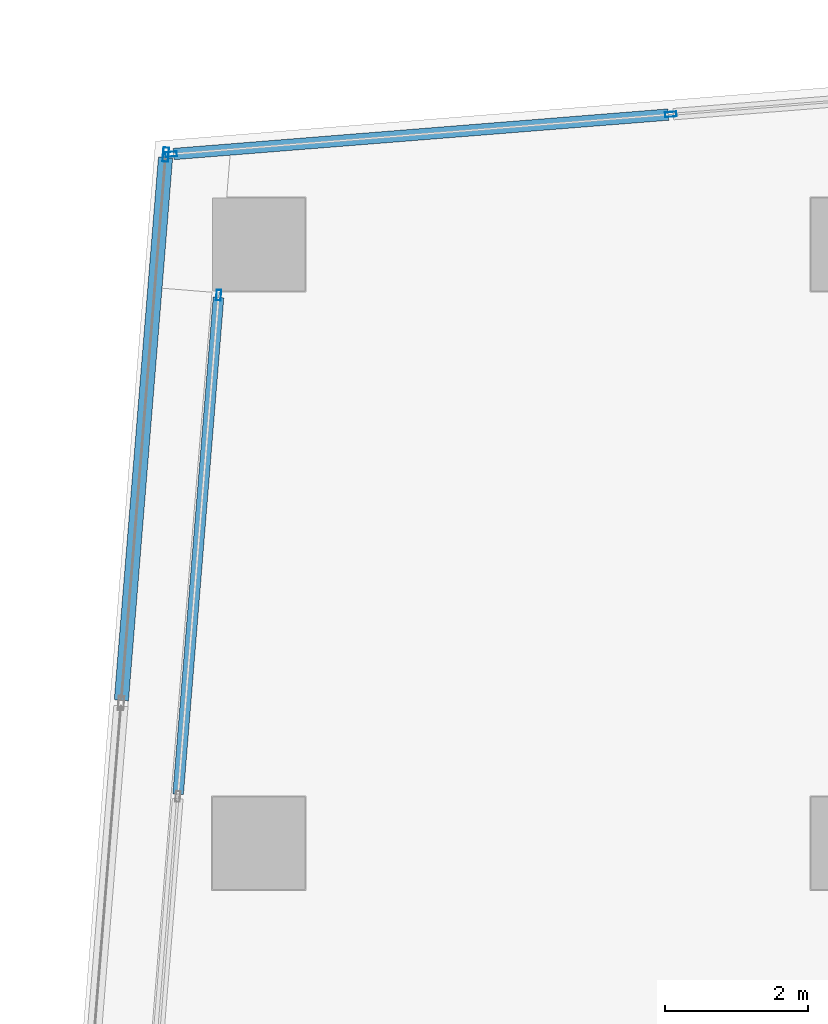
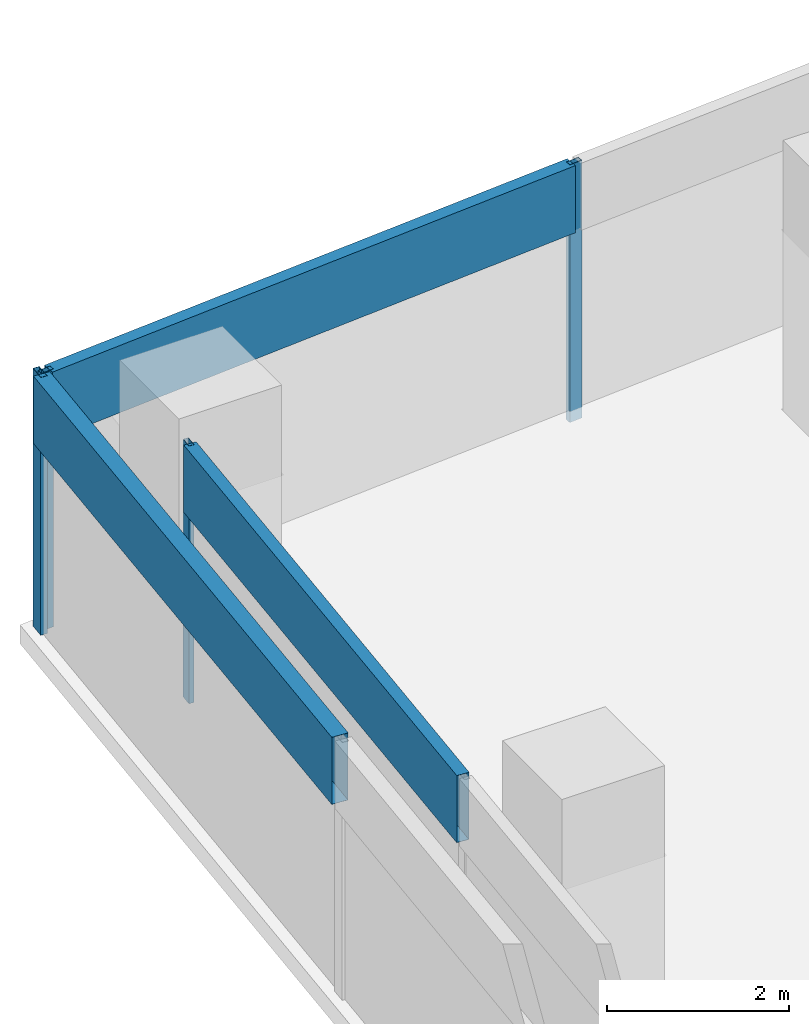
# One storey, part 15 of 30: 7 members, 3 elements without a shape of their own.
"""IFC4 building model written with IfcOpenShell, lengths in metres."""

from ifc_helpers import new_model, si_unit, direction, frame, origin, origin_2d, place, context, subcontext, project, spatial, hollow_rectangle, extrude, material, material_profile, profile_set, type_object, element, aggregate, save


model = new_model("IFC4")

# Units and contexts
model_context = context("Model", 3, precision=1e-05, world=origin(), true_north=direction((0.0, 1.0)))
body_context = subcontext(model_context, "Body", "Model", "MODEL_VIEW")
ifc_project = project(units=[si_unit("LENGTHUNIT", "METRE"), si_unit("AREAUNIT", "SQUARE_METRE"), si_unit("VOLUMEUNIT", "CUBIC_METRE"), si_unit("PLANEANGLEUNIT", "RADIAN"), si_unit("MASSUNIT", "GRAM", prefix="KILO")], contexts=[model_context])

# Site, building, storey
site_placement = place(None, origin())
site = spatial("IfcSite", under=ifc_project, at=site_placement, CompositionType="ELEMENT")
building_placement = place(site_placement, origin())
building = spatial("IfcBuilding", under=site, at=building_placement, Name="Rekha Terrace Tower", CompositionType="ELEMENT")
storey_placement = place(building_placement, frame((0.0, 0.0, 287.60009765625)))
storey = spatial("IfcBuildingStorey", under=building, at=storey_placement, Name="L73", CompositionType="ELEMENT", Elevation=287.60009765625)

# Curtain wall, members
ifc_material_1 = material(Name="Aluminium framing", Category="aluminium")
curtain_wall_type_1 = type_object("IfcCurtainWallType", Name="CW1 double skin inner glazing", PredefinedType="USERDEFINED", material=ifc_material_1)
curtain_wall_1_placement = place(storey_placement, origin())
curtain_wall_1 = element("IfcCurtainWall", 1, at=curtain_wall_1_placement, inside=storey, type_object=curtain_wall_type_1, Name="CW1 double skin inner glazing", ObjectType="DOUBLE SKIN INNER GLAZING", PredefinedType="USERDEFINED")
ifc_material_2 = material(Name="Aluminium mullion section", Category="aluminium")
ifc_material_profile_1 = material_profile(ifc_material_2, hollow_rectangle(XDim=0.06494140625, YDim=0.14990234375, WallThickness=0.00390625, at=origin_2d()), Name="AL RHS 65x150")
ifc_profile_set_1 = profile_set([ifc_material_profile_1], Name="Aluminium mullion section")
member_type_1 = type_object("IfcMemberType", Name="CW1 mullion RHS 65 x 150", PredefinedType="MULLION", material=ifc_profile_set_1)
member_1_placement = place(storey_placement, frame((7.837890625, 49.690185546875, 0.0), z_axis=(0.0, 0.0, 1.0), x_axis=(0.996708580524, -0.081067906781, 0.0)))
member_1 = element("IfcMember", 2, at=member_1_placement, type_object=member_type_1, Name="CW1 mullion 1", PredefinedType="MULLION", context=body_context, shape_type="SweptSolid", body=[
    extrude(hollow_rectangle(XDim=0.06494140625, YDim=0.14990234375, WallThickness=0.00390625, at=origin_2d()), origin(), (0.0, 0.0, 1.0), 3.449951171875),
])
ifc_material_3 = material(Name="Insulated aluminium spandrel box", Category="aluminium")
ifc_material_profile_2 = material_profile(ifc_material_3, hollow_rectangle(XDim=0.14990234375, YDim=0.89990234375, WallThickness=0.0029296875, at=origin_2d()), Name="AL SPANDREL BOX 150x900")
ifc_profile_set_2 = profile_set([ifc_material_profile_2], Name="Insulated aluminium spandrel box")
member_type_2 = type_object("IfcMemberType", Name="CW1 spandrel transom 150 x 900", PredefinedType="USERDEFINED", material=ifc_profile_set_2)
member_2_placement = place(storey_placement, frame((7.835205078125, 49.65771484375, 3.0), z_axis=(-0.081074618383, -0.996708034609, 0.0), x_axis=(0.996708034609, -0.081074618383, 0.0)))
member_2 = element("IfcMember", 3, at=member_2_placement, type_object=member_type_2, Name="CW1 spandrel transom 1", ObjectType="TRANSOM", PredefinedType="USERDEFINED", context=body_context, shape_type="SweptSolid", body=[
    extrude(hollow_rectangle(XDim=0.14990234375, YDim=0.89990234375, WallThickness=0.0029296875, at=origin_2d()), origin(), (0.0, 0.0, 1.0), 6.9921875),
])
aggregate(curtain_wall_1, [member_1, member_2])

curtain_wall_type_2 = type_object("IfcCurtainWallType", Name="CW2 double skin outer glazing", PredefinedType="USERDEFINED", material=ifc_material_1)
curtain_wall_2_placement = place(storey_placement, origin())
curtain_wall_2 = element("IfcCurtainWall", 4, at=curtain_wall_2_placement, inside=storey, type_object=curtain_wall_type_2, Name="CW2 double skin outer glazing", ObjectType="DOUBLE SKIN OUTER GLAZING", PredefinedType="USERDEFINED")
ifc_material_profile_3 = material_profile(ifc_material_2, hollow_rectangle(XDim=0.080078125, YDim=0.199951171875, WallThickness=0.00390625, at=origin_2d()), Name="AL RHS 80x200")
ifc_profile_set_3 = profile_set([ifc_material_profile_3], Name="Aluminium mullion section")
member_type_3 = type_object("IfcMemberType", Name="CW2 mullion RHS 80 x 200", PredefinedType="MULLION", material=ifc_profile_set_3)
member_3_placement = place(storey_placement, frame((7.09521484375, 51.661376953125, 0.0), z_axis=(0.0, 0.0, 1.0), x_axis=(0.996708580521, -0.081067906816, 0.0)))
member_3 = element("IfcMember", 5, at=member_3_placement, type_object=member_type_3, Name="CW2 mullion 1", PredefinedType="MULLION", context=body_context, shape_type="SweptSolid", body=[
    extrude(hollow_rectangle(XDim=0.080078125, YDim=0.199951171875, WallThickness=0.00390625, at=origin_2d()), origin(), (0.0, 0.0, 1.0), 3.449951171875),
])
ifc_material_profile_4 = material_profile(ifc_material_3, hollow_rectangle(XDim=0.199951171875, YDim=0.89990234375, WallThickness=0.0029296875, at=origin_2d()), Name="AL SPANDREL BOX 200x900")
ifc_profile_set_4 = profile_set([ifc_material_profile_4], Name="Insulated aluminium spandrel box")
member_type_4 = type_object("IfcMemberType", Name="CW2 spandrel transom 200 x 900", PredefinedType="USERDEFINED", material=ifc_profile_set_4)
member_4_placement = place(storey_placement, frame((7.092041015625, 51.62158203125, 3.0), z_axis=(-0.081093832935, -0.996706471465, 0.0), x_axis=(0.996706471465, -0.081093832935, 0.0)))
member_4 = element("IfcMember", 6, at=member_4_placement, type_object=member_type_4, Name="CW2 spandrel transom 1", ObjectType="TRANSOM", PredefinedType="USERDEFINED", context=body_context, shape_type="SweptSolid", body=[
    extrude(hollow_rectangle(XDim=0.199951171875, YDim=0.89990234375, WallThickness=0.0029296875, at=origin_2d()), origin(), (0.0, 0.0, 1.0), 7.640869140625),
])
aggregate(curtain_wall_2, [member_3, member_4])

curtain_wall_type_3 = type_object("IfcCurtainWallType", Name="CW3 north unitised glazing", PredefinedType="USERDEFINED", material=ifc_material_1)
curtain_wall_3_placement = place(storey_placement, origin())
curtain_wall_3 = element("IfcCurtainWall", 7, at=curtain_wall_3_placement, inside=storey, type_object=curtain_wall_type_3, Name="CW3 unitised curtain wall", ObjectType="UNITISED CURTAIN WALL", PredefinedType="USERDEFINED")
ifc_material_profile_5 = material_profile(ifc_material_2, hollow_rectangle(XDim=0.070068359375, YDim=0.159912109375, WallThickness=0.00390625, at=origin_2d()), Name="AL RHS 70x160")
ifc_profile_set_5 = profile_set([ifc_material_profile_5], Name="Aluminium mullion section")
member_type_5 = type_object("IfcMemberType", Name="CW3 mullion RHS 70 x 160", PredefinedType="MULLION", material=ifc_profile_set_5)
member_5_placement = place(storey_placement, frame((14.18115234375, 52.22607421875, 0.0), z_axis=(0.0, 0.0, 1.0), x_axis=(0.07948505154, -0.996836058026, 0.0)))
member_5 = element("IfcMember", 8, at=member_5_placement, type_object=member_type_5, Name="CW3 mullion 3", PredefinedType="MULLION", context=body_context, shape_type="SweptSolid", body=[
    extrude(hollow_rectangle(XDim=0.070068359375, YDim=0.159912109375, WallThickness=0.00390625, at=origin_2d()), origin(), (0.0, 0.0, 1.0), 3.449951171875),
])
member_6_placement = place(storey_placement, frame((7.17041015625, 51.6669921875, 0.0), z_axis=(0.0, 0.0, 1.0), x_axis=(0.07948505154, -0.996836058026, 0.0)))
member_6 = element("IfcMember", 9, at=member_6_placement, type_object=member_type_5, Name="CW3 mullion 4", PredefinedType="MULLION", context=body_context, shape_type="SweptSolid", body=[
    extrude(hollow_rectangle(XDim=0.070068359375, YDim=0.159912109375, WallThickness=0.00390625, at=origin_2d()), origin(), (0.0, 0.0, 1.0), 3.449951171875),
])
ifc_material_profile_6 = material_profile(ifc_material_3, hollow_rectangle(XDim=0.159912109375, YDim=0.89990234375, WallThickness=0.0029296875, at=origin_2d()), Name="AL SPANDREL BOX 160x900")
ifc_profile_set_6 = profile_set([ifc_material_profile_6], Name="Insulated aluminium spandrel box")
member_type_6 = type_object("IfcMemberType", Name="CW3 spandrel transom 160 x 900", PredefinedType="USERDEFINED", material=ifc_profile_set_6)
member_7_placement = place(storey_placement, frame((14.146240234375, 52.22314453125, 3.0), z_axis=(-0.996835870382, -0.079487404789, 0.0), x_axis=(0.079487404789, -0.996835870382, 0.0)))
member_7 = element("IfcMember", 10, at=member_7_placement, type_object=member_type_6, Name="CW3 spandrel transom 3", ObjectType="TRANSOM", PredefinedType="USERDEFINED", context=body_context, shape_type="SweptSolid", body=[
    extrude(hollow_rectangle(XDim=0.159912109375, YDim=0.89990234375, WallThickness=0.0029296875, at=origin_2d()), origin(), (0.0, 0.0, 1.0), 6.962890625),
])
aggregate(curtain_wall_3, [member_5, member_6, member_7])

save(model, "model.ifc")
